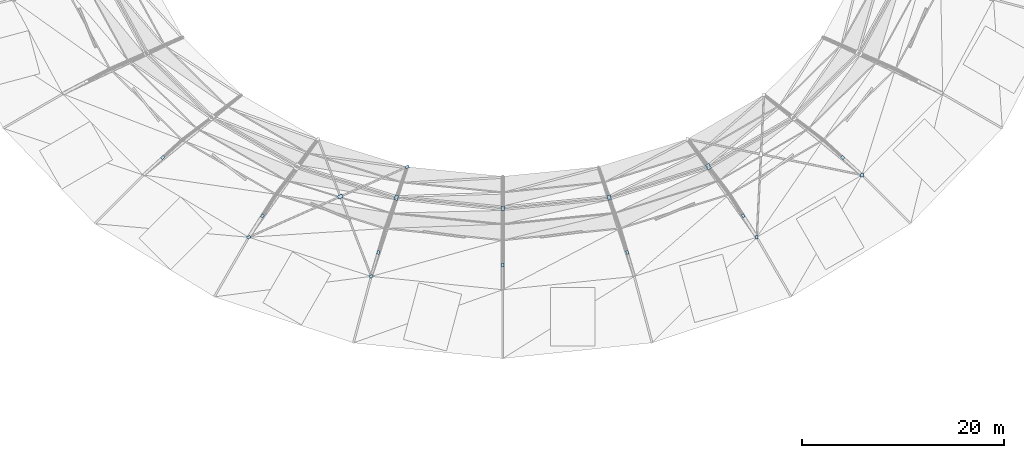
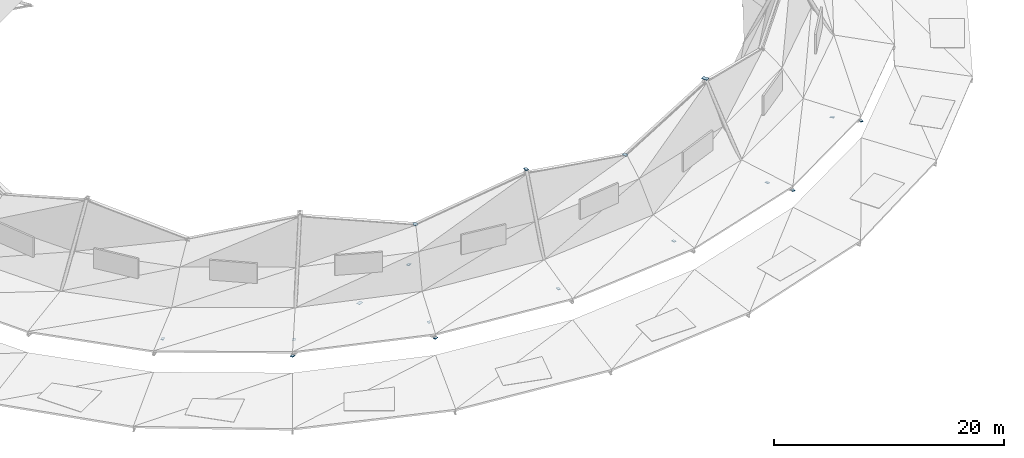
# One storey, part 32 of 36: 17 plates.
"""IFC4 building model written with IfcOpenShell, lengths in metres."""

from ifc_helpers import new_model, si_unit, direction, frame, origin, origin_2d, place, context, subcontext, project, spatial, rectangle, extrude, material, layer, layer_set, type_object, element, save


model = new_model("IFC4")

# Units and contexts
model_context = context("Model", 3, precision=1e-05, world=origin(), true_north=direction((0.0, 1.0)))
body_context = subcontext(model_context, "Body", "Model", "MODEL_VIEW")
ifc_project = project(units=[si_unit("LENGTHUNIT", "METRE"), si_unit("AREAUNIT", "SQUARE_METRE"), si_unit("VOLUMEUNIT", "CUBIC_METRE"), si_unit("PLANEANGLEUNIT", "RADIAN"), si_unit("MASSUNIT", "GRAM", prefix="KILO")], contexts=[model_context])

# Site, building, storey
site_placement = place(None, origin())
site = spatial("IfcSite", under=ifc_project, at=site_placement, CompositionType="ELEMENT")
building_placement = place(site_placement, origin())
building = spatial("IfcBuilding", under=site, at=building_placement, Name="Kildeholm Park Wholesale Market", CompositionType="ELEMENT")
storey_placement = place(building_placement, frame((0.0, 0.0, 17.39990234375)))
storey = spatial("IfcBuildingStorey", under=building, at=storey_placement, Name="Roof", CompositionType="ELEMENT", Elevation=17.39990234375)

# Plates
ifc_material = material(Name="Steel S355", Category="steel")
ifc_layer_1 = layer(ifc_material, 0.02001953125)
ifc_layer_set_1 = layer_set([ifc_layer_1], Name="Steel S355")
plate_type_1 = type_object("IfcPlateType", Name="Steel connection plate EP-01 360x260x20", PredefinedType="SHEET", material=ifc_layer_set_1)
for number, where, z_axis, x_axis, name in (
    (1, (65.412109375, 63.866943359375, -4.639892578125), (0.0, 0.0, 1.0), (0.74057007644, 0.671979137981, 0.0), "Truss diagonal end plate V1-15-WB1 PLT-0081"),
    (2, (75.25, 58.10595703125, -4.639892578125), (0.0, 0.0, 1.0), (0.536710679153, 0.843766346142, 0.0), "Truss diagonal end plate V1-16-WB1 PLT-0085"),
    (3, (73.89990234375, 55.985107421875, -4.639892578125), (0.0, 0.0, 1.0), (0.913900054426, 0.405939269498, 0.0), "Brace end connection plate BR-V1-RF-16-1 PLT-0087"),
    (4, (89.552978515625, 62.93701171875, -4.639892578125), (0.0, 0.0, 1.0), (0.913900054426, 0.405939269498, 0.0), "Brace end connection plate BR-V1-RF-16-2 PLT-0088"),
    (5, (86.007080078125, 52.118896484375, -4.639892578125), (0.0, 0.0, 1.0), (0.913900054426, 0.405939269498, 0.0), "Brace end connection plate BR-V1-RF-16-3 PLT-0089"),
    (6, (86.7060546875, 54.486083984375, -4.639892578125), (0.0, 0.0, 1.0), (0.283345893093, 0.959017781309, 0.0), "Truss diagonal end plate V1-17-WB1 PLT-0094"),
    (7, (99.0, 53.25, -4.639892578125), (0.0, 0.0, 1.0), (0.0, 1.0, 0.0), "Truss diagonal end plate V1-18-WB1 PLT-0098"),
    (8, (111.2939453125, 54.486083984375, -4.639892578125), (0.0, 0.0, 1.0), (-0.283345893093, 0.959017781309, 0.0), "Truss diagonal end plate V1-19-WB1 PLT-0102"),
    (9, (122.75, 58.10595703125, -4.639892578125), (0.0, 0.0, 1.0), (-0.536710679153, 0.843766346142, 0.0), "Truss diagonal end plate V1-20-WB1 PLT-0106"),
    (10, (124.10009765625, 55.985107421875, -4.639892578125), (0.0, 0.0, 1.0), (0.05024431818, 0.998736956606, 0.0), "Brace end connection plate BR-V1-RF-20-1 PLT-0108"),
    (11, (134.4970703125, 62.135009765625, -4.639892578125), (0.0, 0.0, 1.0), (0.05024431818, 0.998736956606, 0.0), "Brace end connection plate BR-V1-RF-20-3 PLT-0110"),
    (12, (132.587890625, 63.866943359375, -4.639892578125), (0.0, 0.0, 1.0), (-0.74057007644, 0.671979137981, 0.0), "Truss diagonal end plate V1-21-WB1 PLT-0115"),
):
    element("IfcPlate", number, at=place(storey_placement, frame(where, z_axis=z_axis, x_axis=x_axis)), inside=storey, type_object=plate_type_1, Name=name, PredefinedType="SHEET", context=body_context, shape_type="SweptSolid", body=[
        extrude(rectangle(XDim=0.360107421875, YDim=0.260009765625, at=origin_2d()), origin(), (0.0, 0.0, 1.0), 0.02001953125),
    ])
ifc_layer_2 = layer(ifc_material, 0.02392578125)
ifc_layer_set_2 = layer_set([ifc_layer_2], Name="Steel S355")
plate_type_2 = type_object("IfcPlateType", Name="Steel connection plate GP-01 420x300x24", PredefinedType="SHEET", material=ifc_layer_set_2)
plate_1_placement = place(storey_placement, frame((99.0, 58.85009765625, 4.648193359375), z_axis=(0.0, 0.0, 1.0), x_axis=(0.0, -1.0, 0.0)))
element("IfcPlate", 13, at=plate_1_placement, inside=storey, type_object=plate_type_2, Name="Arch crown gusset plate TR-19 PLT-0101", PredefinedType="SHEET", context=body_context, shape_type="SweptSolid", body=[
    extrude(rectangle(XDim=0.419921875, YDim=0.300048828125, at=origin_2d()), origin(), (0.0, 0.0, 1.0), 0.02392578125),
])
ifc_layer_3 = layer(ifc_material, 0.02587890625)
ifc_layer_set_3 = layer_set([ifc_layer_3], Name="Steel S355")
plate_type_3 = type_object("IfcPlateType", Name="Steel connection plate GP-02 480x340x26", PredefinedType="SHEET", material=ifc_layer_set_3)
for number, where, z_axis, x_axis, name in (
    (14, (82.950927734375, 60.0048828125, -4.642822265625), (0.0, 0.0, 1.0), (0.913900054426, 0.405939269498, 0.0), "X-brace crossing gusset plate BR-V1-RF-16 PLT-0086"),
    (15, (109.52099609375, 59.89404296875, 1.84716796875), (0.0, 0.0, 1.0), (0.258819045103, -0.965925826289, 0.0), "Arch crown gusset plate TR-20 PLT-0105"),
):
    element("IfcPlate", number, at=place(storey_placement, frame(where, z_axis=z_axis, x_axis=x_axis)), inside=storey, type_object=plate_type_3, Name=name, PredefinedType="SHEET", context=body_context, shape_type="SweptSolid", body=[
        extrude(rectangle(XDim=0.47998046875, YDim=0.340087890625, at=origin_2d()), origin(), (0.0, 0.0, 1.0), 0.02587890625),
    ])
ifc_layer_4 = layer(ifc_material, 0.031982421875)
ifc_layer_set_4 = layer_set([ifc_layer_4], Name="Steel S355")
plate_type_4 = type_object("IfcPlateType", Name="Steel connection plate GP-03 540x380x32", PredefinedType="SHEET", material=ifc_layer_set_4)
plate_2_placement = place(storey_placement, frame((119.324951171875, 62.9560546875, 4.64404296875), z_axis=(0.0, 0.0, 1.0), x_axis=(0.5, -0.866025403784, 0.0)))
element("IfcPlate", 16, at=plate_2_placement, inside=storey, type_object=plate_type_4, Name="Arch crown gusset plate TR-21 PLT-0114", PredefinedType="SHEET", context=body_context, shape_type="SweptSolid", body=[
    extrude(rectangle(XDim=0.5400390625, YDim=0.3798828125, at=origin_2d()), origin(), (0.0, 0.0, 1.0), 0.031982421875),
])
ifc_layer_5 = layer(ifc_material, 0.028076171875)
ifc_layer_set_5 = layer_set([ifc_layer_5], Name="Steel S355")
plate_type_5 = type_object("IfcPlateType", Name="Steel connection plate GP-06 500x360x28", PredefinedType="SHEET", material=ifc_layer_set_5)
plate_3_placement = place(storey_placement, frame((88.47900390625, 59.89404296875, 1.84619140625), z_axis=(0.0, 0.0, 1.0), x_axis=(-0.258819045103, -0.965925826289, 0.0)))
element("IfcPlate", 17, at=plate_3_placement, inside=storey, type_object=plate_type_5, Name="Arch crown gusset plate TR-18 PLT-0097", PredefinedType="SHEET", context=body_context, shape_type="SweptSolid", body=[
    extrude(rectangle(XDim=0.5, YDim=0.360107421875, at=origin_2d()), origin(), (0.0, 0.0, 1.0), 0.028076171875),
])

save(model, "model.ifc")
